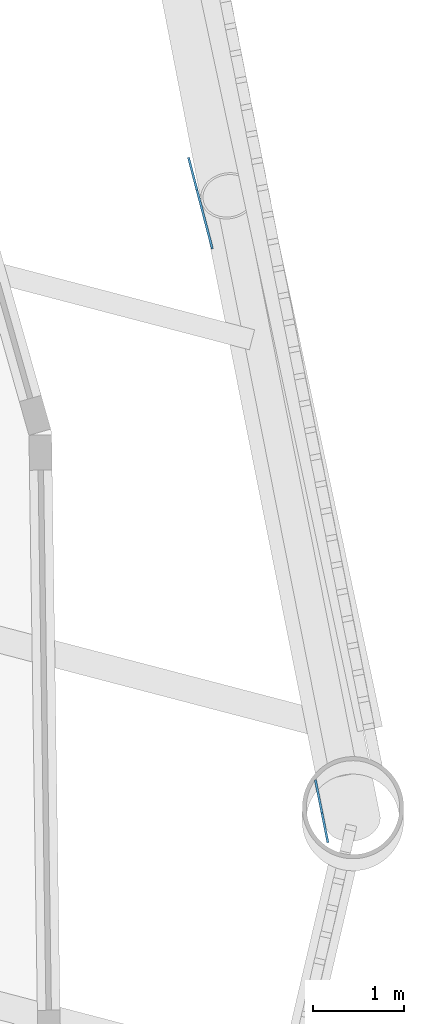
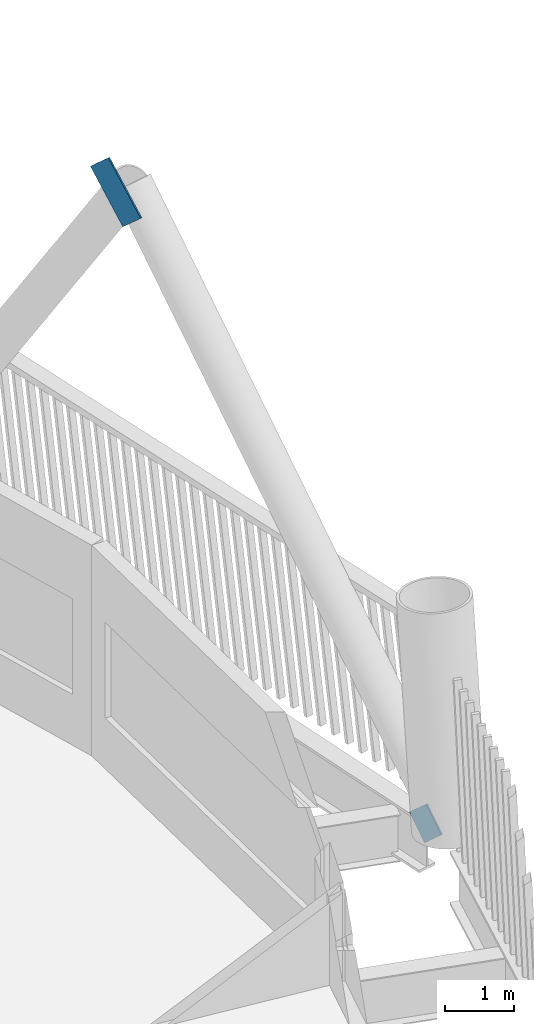
# One storey, part 10 of 24: 2 discrete accessories.
"""IFC4 building model written with IfcOpenShell, lengths in metres."""

from ifc_helpers import new_model, si_unit, direction, frame, origin, origin_2d, place, context, subcontext, project, spatial, rectangle, extrude, material, material_profile, profile_set, type_object, element, save


model = new_model("IFC4")

# Units and contexts
model_context = context("Model", 3, precision=1e-05, world=origin(), true_north=direction((0.0, 1.0)))
body_context = subcontext(model_context, "Body", "Model", "MODEL_VIEW")
ifc_project = project(units=[si_unit("LENGTHUNIT", "METRE"), si_unit("AREAUNIT", "SQUARE_METRE"), si_unit("VOLUMEUNIT", "CUBIC_METRE"), si_unit("PLANEANGLEUNIT", "RADIAN"), si_unit("MASSUNIT", "GRAM", prefix="KILO")], contexts=[model_context])

# Site, building, storey
site_placement = place(None, origin())
site = spatial("IfcSite", under=ifc_project, at=site_placement, CompositionType="ELEMENT")
building_placement = place(site_placement, origin())
building = spatial("IfcBuilding", under=site, at=building_placement, Name="Tarsis Ring Headquarters", CompositionType="ELEMENT")
storey_placement = place(building_placement, frame((0.0, 0.0, 163.199951171875)))
storey = spatial("IfcBuildingStorey", under=building, at=storey_placement, Name="L37", CompositionType="ELEMENT", Elevation=163.199951171875)

# Discrete accessories
ifc_material = material(Name="Structural steel S355", Category="steel")
ifc_material_profile = material_profile(ifc_material, rectangle(XDim=0.02490234375, YDim=0.5, at=origin_2d()), Name="PL 25x500")
ifc_profile_set = profile_set([ifc_material_profile], Name="Structural steel S355")
discrete_accessory_type = type_object("IfcDiscreteAccessoryType", Name="Gusset plate Exo brace 25", PredefinedType="BRACKET", material=ifc_profile_set)
discrete_accessory_1_placement = place(storey_placement, frame((28.73291015625, -0.5703125, 0.0), z_axis=(-0.130848487801, 0.655707160883, 0.743590473585), x_axis=(-0.980664839581, -0.195694845129, 0.0)))
element("IfcDiscreteAccessory", 1, at=discrete_accessory_1_placement, inside=storey, type_object=discrete_accessory_type, Name="Gusset plate GP5", PredefinedType="BRACKET", context=body_context, shape_type="SweptSolid", body=[
    extrude(rectangle(XDim=0.02490234375, YDim=0.5, at=origin_2d()), origin(), (0.0, 0.0, 1.0), 0.5),
])
discrete_accessory_2_placement = place(storey_placement, frame((27.448974609375, 5.96875, 7.42822265625), z_axis=(-0.169171056997, 0.646902310306, 0.743571485733), x_axis=(-0.96746589692, -0.253001459081, 0.0)))
element("IfcDiscreteAccessory", 2, at=discrete_accessory_2_placement, inside=storey, type_object=discrete_accessory_type, Name="Gusset plate GP5", PredefinedType="BRACKET", context=body_context, shape_type="SweptSolid", body=[
    extrude(rectangle(XDim=0.02490234375, YDim=0.5, at=origin_2d()), origin(), (0.0, 0.0, 1.0), 1.0),
])

save(model, "model.ifc")
